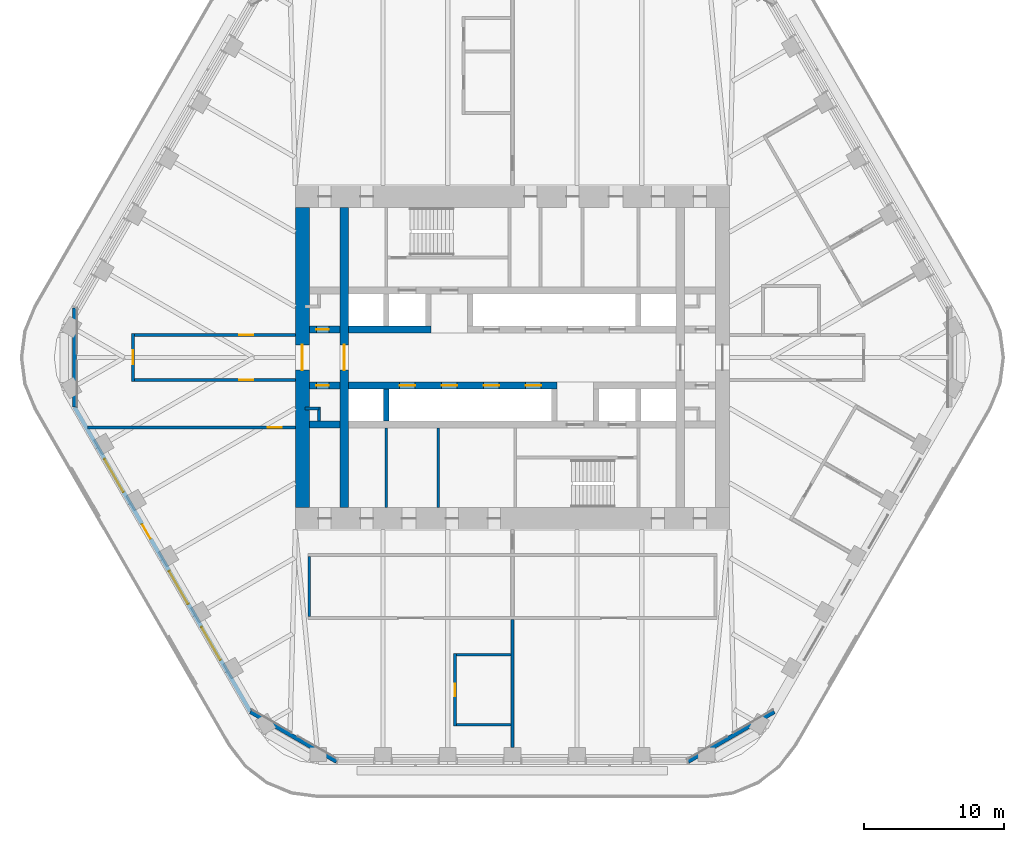
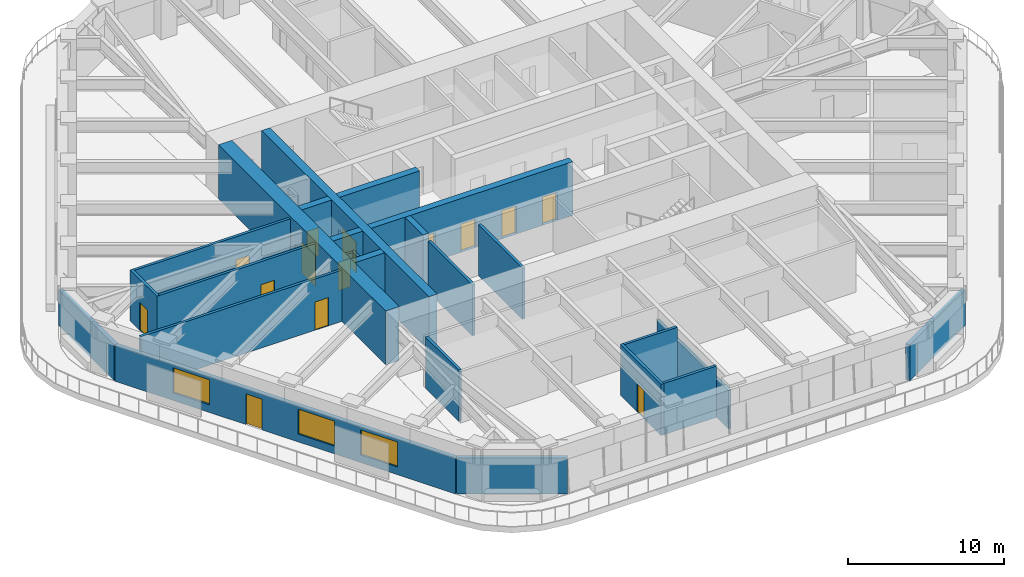
# One storey, part 14 of 20: 25 walls, 14 doors, 3 windows, 17 openings.
"""IFC4 building model written with IfcOpenShell, lengths in metres."""

import ifcopenshell
import ifcopenshell.guid

model = None  # the IFC model being written
_history = None  # IfcOwnerHistory: only IFC2X3 demands one
_inside = {}  # id of a spatial element -> (the spatial element, [elements in it])
_under = {}  # id of a project, library or spatial element -> (it, [spatial elements below it])
_declared = {}  # id of a project -> (the project, [libraries it declares])
_typed = {}  # id of a type object -> (the type object, [elements of that type])
_made_of = {}  # id of a material, layer set ... -> (it, [elements and type objects made of it])


def new_model(schema):
    """Start an empty IFC model of exactly this schema.

    Asked for "IFC4X3", IfcOpenShell would pick the latest addendum, in which some entities
    have other attributes; the version numbers below select the first issue.
    IFC2X3 requires an IfcOwnerHistory on every rooted entity: one is made here for all.
    """
    global model, _history
    if schema == "IFC4X3":
        model = ifcopenshell.file(schema_version=(4, 3, 0, 0))
    else:
        model = ifcopenshell.file(schema=schema)
    _inside.clear()
    _under.clear()
    _declared.clear()
    _typed.clear()
    _made_of.clear()
    _history = None
    if model.schema == "IFC2X3":
        org = make("IfcOrganization", Name="unknown")
        user = make(
            "IfcPersonAndOrganization",
            ThePerson=make("IfcPerson", FamilyName="unknown"),
            TheOrganization=org,
        )
        app = make(
            "IfcApplication",
            ApplicationDeveloper=org,
            Version="unknown",
            ApplicationFullName="unknown",
            ApplicationIdentifier="unknown",
        )
        _history = make(
            "IfcOwnerHistory",
            OwningUser=user,
            OwningApplication=app,
            ChangeAction="ADDED",
            CreationDate=0,
        )
    return model


def make(cls, **values):
    """One entity of the class cls with the attributes given. An attribute that is None is left unset."""
    return model.create_entity(
        cls, **{name: value for name, value in values.items() if value is not None}
    )


def rooted(cls, **values):
    """An entity with a GlobalId (a new one), such as an element, a storey or a relation."""
    return make(cls, GlobalId=ifcopenshell.guid.new(), OwnerHistory=_history, **values)


def si_unit(unit_type, name, prefix=None):
    """IfcSIUnit, for example si_unit("LENGTHUNIT", "METRE", prefix="MILLI")."""
    return make("IfcSIUnit", UnitType=unit_type, Prefix=prefix, Name=name)


def assignment(units):
    """IfcUnitAssignment: the units of a project."""
    return None if units is None else make("IfcUnitAssignment", Units=units)


def point(xyz):
    """IfcCartesianPoint."""
    return None if xyz is None else make("IfcCartesianPoint", Coordinates=xyz)


def direction(xyz):
    """IfcDirection."""
    return None if xyz is None else make("IfcDirection", DirectionRatios=xyz)


def frame(location, z_axis=None, x_axis=None):
    """IfcAxis2Placement3D, a coordinate frame: its origin and axes. An axis left out is left unset."""
    return make(
        "IfcAxis2Placement3D",
        Location=point(location),
        Axis=direction(z_axis),
        RefDirection=direction(x_axis),
    )


def frame_2d(location, x_axis=None):
    """IfcAxis2Placement2D, a coordinate frame in the plane: its origin and x axis."""
    return make(
        "IfcAxis2Placement2D", Location=point(location), RefDirection=direction(x_axis)
    )


def origin():
    """The frame at (0, 0, 0) with its axes left unset."""
    return frame((0.0, 0.0, 0.0))


def place(relative_to, where):
    """IfcLocalPlacement: puts the frame where relative to a parent placement (None: the world)."""
    return make(
        "IfcLocalPlacement", PlacementRelTo=relative_to, RelativePlacement=where
    )


def context(
    kind, dimensions, precision=None, world=None, true_north=None, identifier=None
):
    """IfcGeometricRepresentationContext, for example the 3D "Model" context."""
    return make(
        "IfcGeometricRepresentationContext",
        ContextIdentifier=identifier,
        ContextType=kind,
        CoordinateSpaceDimension=dimensions,
        Precision=precision,
        WorldCoordinateSystem=world,
        TrueNorth=true_north,
    )


def subcontext(parent, identifier, kind, view, scale=None):
    """IfcGeometricRepresentationSubContext, for example "Body" below "Model"."""
    return make(
        "IfcGeometricRepresentationSubContext",
        ContextIdentifier=identifier,
        ContextType=kind,
        ParentContext=parent,
        TargetScale=scale,
        TargetView=view,
    )


def project(units=None, contexts=None):
    """IfcProject with its units and contexts."""
    return rooted(
        "IfcProject",
        Name="project",
        RepresentationContexts=contexts,
        UnitsInContext=assignment(units),
    )


def spatial(cls, under=None, at=None, **own):
    """A site, building, storey or space (cls), placed at a placement, below another one or the project."""
    s = rooted(cls, ObjectPlacement=at, **own)
    if under is not None:
        _under.setdefault(under.id(), (under, []))[1].append(s)
    return s


def profile(cls, at=None, kind="AREA", **sizes):
    """A parametric profile (cls). Its sizes go by their IFC names, for example OverallWidth=200.0."""
    return make(cls, ProfileType=kind, Position=at, **sizes)


def rectangle(**sizes):
    """IfcRectangleProfileDef."""
    return profile("IfcRectangleProfileDef", **sizes)


def extrude(swept, where, along, depth):
    """IfcExtrudedAreaSolid: the profile swept, set in the frame where, extruded along a direction by depth."""
    return make(
        "IfcExtrudedAreaSolid",
        SweptArea=swept,
        Position=where,
        ExtrudedDirection=direction(along),
        Depth=depth,
    )


def shape(context_of_items, identifier, shape_type, items):
    """IfcShapeRepresentation: the items that make up one representation, for example the "Body"."""
    return make(
        "IfcShapeRepresentation",
        ContextOfItems=context_of_items,
        RepresentationIdentifier=identifier,
        RepresentationType=shape_type,
        Items=items,
    )


def material(Name=None, Category=None):
    """IfcMaterial."""
    return make("IfcMaterial", Name=Name, Category=Category)


def layer(
    of_material, thickness, ventilated=None, Name=None, Category=None, Priority=None
):
    """IfcMaterialLayer: one layer of a wall or slab, of a material (None: an air gap)."""
    return make(
        "IfcMaterialLayer",
        Material=of_material,
        LayerThickness=thickness,
        IsVentilated=ventilated,
        Name=Name,
        Category=Category,
        Priority=Priority,
    )


def layer_set(layers, Name=None):
    """IfcMaterialLayerSet."""
    return make("IfcMaterialLayerSet", MaterialLayers=layers, LayerSetName=Name)


def made_of(thing, what):
    """Note that an element or type object is made of a material, layer set ...; save() writes the relation."""
    if what is not None:
        _made_of.setdefault(what.id(), (what, []))[1].append(thing)
    return thing


def type_object(cls, material=None, **own):
    """A type object (cls), such as IfcWallType, which elements share."""
    return made_of(rooted(cls, **own), material)


def element(
    cls,
    number,
    at=None,
    inside=None,
    cuts=None,
    type_object=None,
    material=None,
    context=None,
    identifier="Body",
    shape_type=None,
    held_by="IfcProductDefinitionShape",
    body=None,
    shapes=None,
    **own,
):
    """One element of the class cls, such as IfcWall. Its Tag is "e" and its number.

    at: its placement. inside: the storey or other place that contains it. cuts: it is an
    opening in that element (IfcRelVoidsElement). A single representation is given by context,
    identifier, shape_type and body (its items); several are given by shapes. held_by: the class
    of the entity that holds the representations. save() writes the other relations.
    """
    e = rooted(cls, Tag="e%d" % number, ObjectPlacement=at, **own)
    if body is not None:
        shapes = [shape(context, identifier, shape_type, body)]
    if shapes is not None:
        e.Representation = make(held_by, Representations=shapes)
    if inside is not None:
        _inside.setdefault(inside.id(), (inside, []))[1].append(e)
    if cuts is not None:
        rooted(
            "IfcRelVoidsElement", RelatingBuildingElement=cuts, RelatedOpeningElement=e
        )
    if type_object is not None:
        _typed.setdefault(type_object.id(), (type_object, []))[1].append(e)
    return made_of(e, material)


def fill(opening, filler):
    """IfcRelFillsElement: the door or window that sits in an opening."""
    return rooted(
        "IfcRelFillsElement",
        RelatingOpeningElement=opening,
        RelatedBuildingElement=filler,
    )


def aggregate(whole, parts):
    """IfcRelAggregates: a whole, such as a stair, and the parts it consists of."""
    return rooted("IfcRelAggregates", RelatingObject=whole, RelatedObjects=parts)


def save(model, path):
    """Write the relations noted so far, then the file.

    IfcRelAggregates (storeys below a building ...), IfcRelContainedInSpatialStructure (elements
    in a storey), IfcRelDefinesByType, IfcRelAssociatesMaterial and IfcRelDeclares: one each for
    every whole, place, type object, material and project.
    """
    for whole, parts in _under.values():
        aggregate(whole, parts)
    for where, things in _inside.values():
        rooted(
            "IfcRelContainedInSpatialStructure",
            RelatedElements=things,
            RelatingStructure=where,
        )
    for kind, things in _typed.values():
        rooted("IfcRelDefinesByType", RelatedObjects=things, RelatingType=kind)
    for what, things in _made_of.values():
        rooted("IfcRelAssociatesMaterial", RelatedObjects=things, RelatingMaterial=what)
    for by, libraries in _declared.values():
        rooted("IfcRelDeclares", RelatingContext=by, RelatedDefinitions=libraries)
    model.write(path)


model = new_model("IFC4")

# Units and contexts
model_context = context("Model", 3, precision=1e-05, world=origin(), true_north=direction((0.0, 1.0)))
body_context = subcontext(model_context, "Body", "Model", "MODEL_VIEW")
ifc_project = project(units=[si_unit("LENGTHUNIT", "METRE"), si_unit("AREAUNIT", "SQUARE_METRE"), si_unit("VOLUMEUNIT", "CUBIC_METRE"), si_unit("PLANEANGLEUNIT", "RADIAN"), si_unit("MASSUNIT", "GRAM", prefix="KILO")], contexts=[model_context])

# Site, building, storey
site_placement = place(None, origin())
site = spatial("IfcSite", under=ifc_project, at=site_placement, CompositionType="ELEMENT")
building_placement = place(site_placement, origin())
building = spatial("IfcBuilding", under=site, at=building_placement, Name="Tarfa Lantern Tower", CompositionType="ELEMENT")
storey_placement = place(building_placement, frame((0.0, 0.0, 265.89990234375)))
storey = spatial("IfcBuildingStorey", under=building, at=storey_placement, Name="L60", CompositionType="ELEMENT", Elevation=265.89990234375)

# Walls
ifc_material_1 = material(Name="Limestone cladding on blockwork", Category="masonry")
ifc_layer_1 = layer(ifc_material_1, 0.300048828125)
ifc_layer_set_1 = layer_set([ifc_layer_1], Name="EW1 STONE-CLAD WALL 300")
wall_type_1 = type_object("IfcWallType", Name="EW1 STONE-CLAD WALL 300", PredefinedType="SOLIDWALL", material=ifc_layer_set_1)
wall_1_placement = place(storey_placement, frame((-31.262939453125, 3.55078125, 0.0), z_axis=(0.0, 0.0, 1.0), x_axis=(0.0, -1.0, 0.0)))
element("IfcWall", 1, at=wall_1_placement, inside=storey, type_object=wall_type_1, Name="Garden wall NW-SW", PredefinedType="SOLIDWALL", context=body_context, shape_type="SweptSolid", body=[
    extrude(rectangle(XDim=7.1015625, YDim=0.300048828125, at=frame_2d((3.55078125, 0.0))), origin(), (0.0, 0.0, 1.0), 2.800048828125),
])
for number, where, z_axis, x_axis, name in (
    (2, (-18.70654296875, -25.299072265625, 0.0), (0.0, 0.0, 1.0), (0.866010973379, -0.500024993363, 0.0), "Garden wall SW-S"),
    (3, (12.556396484375, -28.85009765625, 0.0), (0.0, 0.0, 1.0), (0.866010973379, 0.500024993363, 0.0), "Garden wall S-SE"),
):
    element("IfcWall", number, at=place(storey_placement, frame(where, z_axis=z_axis, x_axis=x_axis)), inside=storey, type_object=wall_type_1, Name=name, PredefinedType="SOLIDWALL", context=body_context, shape_type="SweptSolid", body=[
        extrude(rectangle(XDim=7.101806640625, YDim=0.300048828125, at=frame_2d((3.55078125, 0.0))), origin(), (0.0, 0.0, 1.0), 2.800048828125),
    ])

# Wall, openings, door, windows
wall_2_placement = place(storey_placement, frame((-31.262939453125, -3.55078125, 0.0), z_axis=(0.0, 0.0, 1.0), x_axis=(0.500000442367, -0.866025148383, 0.0)))
wall_2 = element("IfcWall", 4, at=wall_2_placement, inside=storey, type_object=wall_type_1, Name="Stone wall SW", PredefinedType="SOLIDWALL", context=body_context, shape_type="SweptSolid", body=[
    extrude(rectangle(XDim=25.11279296875, YDim=0.300048828125, at=frame_2d((12.556396484375, 0.0))), origin(), (0.0, 0.0, 1.0), 2.800048828125),
])
opening_1_placement = place(wall_2_placement, frame((4.2783203125, 0.0, 0.60009765625)))
opening_1 = element("IfcOpeningElement", 5, at=opening_1_placement, cuts=wall_2, Name="Opening W14", PredefinedType="OPENING", context=body_context, shape_type="SweptSolid", body=[
    extrude(rectangle(XDim=2.699951171875, YDim=1.949951171875, at=frame_2d((1.35009765625, 0.97509765625))), frame((0.0, 0.159912109375, 0.0), z_axis=(0.0, -1.0, 0.0), x_axis=(1.0, 0.0, 0.0)), (0.0, 0.0, 1.0), 0.320068359375),
])
opening_2_placement = place(wall_2_placement, frame((9.64697265625, 0.0, 0.0)))
opening_2 = element("IfcOpeningElement", 6, at=opening_2_placement, cuts=wall_2, Name="Opening D48", PredefinedType="OPENING", context=body_context, shape_type="SweptSolid", body=[
    extrude(rectangle(XDim=1.199951171875, YDim=2.39990234375, at=frame_2d((0.60009765625, 1.199951171875))), frame((0.0, 0.159912109375, 0.0), z_axis=(0.0, -1.0, 0.0), x_axis=(1.0, 0.0, 0.0)), (0.0, 0.0, 1.0), 0.320068359375),
])
opening_3_placement = place(wall_2_placement, frame((13.515869140625, 0.0, 0.60009765625)))
opening_3 = element("IfcOpeningElement", 7, at=opening_3_placement, cuts=wall_2, Name="Opening W14", PredefinedType="OPENING", context=body_context, shape_type="SweptSolid", body=[
    extrude(rectangle(XDim=2.699951171875, YDim=1.949951171875, at=frame_2d((1.35009765625, 0.97509765625))), frame((0.0, 0.159912109375, 0.0), z_axis=(0.0, -1.0, 0.0), x_axis=(1.0, 0.0, 0.0)), (0.0, 0.0, 1.0), 0.320068359375),
])
opening_4_placement = place(wall_2_placement, frame((18.134521484375, 0.0, 0.60009765625)))
opening_4 = element("IfcOpeningElement", 8, at=opening_4_placement, cuts=wall_2, Name="Opening W14", PredefinedType="OPENING", context=body_context, shape_type="SweptSolid", body=[
    extrude(rectangle(XDim=2.699951171875, YDim=1.949951171875, at=frame_2d((1.35009765625, 0.97509765625))), frame((0.0, 0.159912109375, 0.0), z_axis=(0.0, -1.0, 0.0), x_axis=(1.0, 0.0, 0.0)), (0.0, 0.0, 1.0), 0.320068359375),
])
ifc_material_2 = material(Name="Aluminium framed glazed door", Category="aluminium")
door_type_1 = type_object("IfcDoorType", Name="BE3 BALCONY DOOR 1200x2400", OperationType="SINGLE_SWING_RIGHT", PredefinedType="DOOR", material=ifc_material_2)
door_1_placement = place(opening_2_placement, origin())
door_1 = element("IfcDoor", 9, at=door_1_placement, inside=storey, type_object=door_type_1, Name="Balcony door SW", OperationType="SINGLE_SWING_RIGHT", OverallHeight=2.39990234375, OverallWidth=1.199951171875, PredefinedType="DOOR", context=body_context, shape_type="SweptSolid", body=[
    extrude(rectangle(XDim=1.199951171875, YDim=2.39990234375, at=frame_2d((0.60009765625, 1.199951171875))), frame((0.0, 0.02490234375, 0.0), z_axis=(0.0, -1.0, 0.0), x_axis=(1.0, 0.0, 0.0)), (0.0, 0.0, 1.0), 0.050048828125),
])
fill(opening_2, door_1)
ifc_material_3 = material(Name="Aluminium frame, double glazed", Category="aluminium")
window_type = type_object("IfcWindowType", Name="W14 FULL-HEIGHT GLAZING 2700x1950", PartitioningType="SINGLE_PANEL", PredefinedType="WINDOW", material=ifc_material_3)
window_1_placement = place(opening_1_placement, origin())
window_1 = element("IfcWindow", 10, at=window_1_placement, inside=storey, type_object=window_type, Name="Window SW 2", OverallHeight=1.949951171875, OverallWidth=2.699951171875, PartitioningType="SINGLE_PANEL", PredefinedType="WINDOW", context=body_context, shape_type="SweptSolid", body=[
    extrude(rectangle(XDim=2.699951171875, YDim=1.949951171875, at=frame_2d((1.35009765625, 0.97509765625))), frame((0.0, 0.030029296875, 0.0), z_axis=(0.0, -1.0, 0.0), x_axis=(1.0, 0.0, 0.0)), (0.0, 0.0, 1.0), 0.06005859375),
])
fill(opening_1, window_1)
window_2_placement = place(opening_3_placement, origin())
window_2 = element("IfcWindow", 11, at=window_2_placement, inside=storey, type_object=window_type, Name="Window SW 4", OverallHeight=1.949951171875, OverallWidth=2.699951171875, PartitioningType="SINGLE_PANEL", PredefinedType="WINDOW", context=body_context, shape_type="SweptSolid", body=[
    extrude(rectangle(XDim=2.699951171875, YDim=1.949951171875, at=frame_2d((1.35009765625, 0.97509765625))), frame((0.0, 0.030029296875, 0.0), z_axis=(0.0, -1.0, 0.0), x_axis=(1.0, 0.0, 0.0)), (0.0, 0.0, 1.0), 0.06005859375),
])
fill(opening_3, window_2)
window_3_placement = place(opening_4_placement, origin())
window_3 = element("IfcWindow", 12, at=window_3_placement, inside=storey, type_object=window_type, Name="Window SW 5", OverallHeight=1.949951171875, OverallWidth=2.699951171875, PartitioningType="SINGLE_PANEL", PredefinedType="WINDOW", context=body_context, shape_type="SweptSolid", body=[
    extrude(rectangle(XDim=2.699951171875, YDim=1.949951171875, at=frame_2d((1.35009765625, 0.97509765625))), frame((0.0, 0.030029296875, 0.0), z_axis=(0.0, -1.0, 0.0), x_axis=(1.0, 0.0, 0.0)), (0.0, 0.0, 1.0), 0.06005859375),
])
fill(opening_4, window_3)

# Walls
ifc_material_4 = material(Name="Concrete blockwork", Category="masonry")
ifc_layer_2 = layer(ifc_material_4, 0.199951171875)
ifc_layer_set_2 = layer_set([ifc_layer_2], Name="IW1 BLOCKWORK PARTITION 200 EI 120")
wall_type_2 = type_object("IfcWallType", Name="IW1 BLOCKWORK PARTITION 200 EI 120", PredefinedType="PARTITIONING", material=ifc_layer_set_2)
for number, where, z_axis, x_axis, name in (
    (13, (-9.0, -5.050048828125, 0.0), (0.0, 0.0, 1.0), (0.0, -1.0, 0.0), "Core partition"),
    (14, (-5.300048828125, -5.050048828125, 0.0), (0.0, 0.0, 1.0), (0.0, -1.0, 0.0), "Core partition"),
):
    element("IfcWall", number, at=place(storey_placement, frame(where, z_axis=z_axis, x_axis=x_axis)), inside=storey, type_object=wall_type_2, Name=name, PredefinedType="PARTITIONING", context=body_context, shape_type="SweptSolid", body=[
        extrude(rectangle(XDim=5.64990234375, YDim=0.199951171875, at=frame_2d((2.824951171875, 0.0))), origin(), (0.0, 0.0, 1.0), 4.0),
    ])
for number, where, z_axis, x_axis, name in (
    (15, (-13.800048828125, -3.64990234375, 0.0), (0.0, 0.0, 1.0), (-1.0, 0.0, 0.0), "Core partition"),
    (16, (-13.800048828125, -3.550048828125, 0.0), (0.0, 0.0, 1.0), (0.0, -1.0, 0.0), "Core partition"),
):
    element("IfcWall", number, at=place(storey_placement, frame(where, z_axis=z_axis, x_axis=x_axis)), inside=storey, type_object=wall_type_2, Name=name, PredefinedType="PARTITIONING", context=body_context, shape_type="SweptSolid", body=[
        extrude(rectangle(XDim=1.0, YDim=0.199951171875, at=frame_2d((0.5, 0.0))), origin(), (0.0, 0.0, 1.0), 4.0),
    ])
ifc_material_5 = material(Name="Gypsum board on steel studs", Category="steel")
ifc_layer_3 = layer(ifc_material_5, 0.2099609375)
ifc_layer_set_3 = layer_set([ifc_layer_3], Name="IW2 ACOUSTIC PARTITION 200")
wall_type_3 = type_object("IfcWallType", Name="IW2 ACOUSTIC PARTITION 200", PredefinedType="PARTITIONING", material=ifc_layer_set_3)
wall_3_placement = place(storey_placement, frame((-14.5, -14.199951171875, 0.0), z_axis=(0.0, 0.0, 1.0), x_axis=(0.0, -1.0, 0.0)))
element("IfcWall", 17, at=wall_3_placement, inside=storey, type_object=wall_type_3, Name="Partition", PredefinedType="PARTITIONING", context=body_context, shape_type="SweptSolid", body=[
    extrude(rectangle(XDim=4.300048828125, YDim=0.199951171875, at=frame_2d((2.14990234375, 0.0))), origin(), (0.0, 0.0, 1.0), 4.0),
])

# Wall, opening, door
wall_4_placement = place(storey_placement, frame((-15.5, 1.60009765625, 0.0), z_axis=(0.0, 0.0, 1.0), x_axis=(-1.0, 0.0, 0.0)))
wall_4 = element("IfcWall", 18, at=wall_4_placement, inside=storey, type_object=wall_type_3, Name="Partition", PredefinedType="PARTITIONING", context=body_context, shape_type="SweptSolid", body=[
    extrude(rectangle(XDim=11.699951171875, YDim=0.199951171875, at=frame_2d((5.85009765625, 0.0))), origin(), (0.0, 0.0, 1.0), 4.0),
])
opening_5_placement = place(wall_4_placement, frame((3.010009765625, 0.0, 0.0)))
opening_5 = element("IfcOpeningElement", 19, at=opening_5_placement, cuts=wall_4, Name="Opening D41", PredefinedType="OPENING", context=body_context, shape_type="SweptSolid", body=[
    extrude(rectangle(XDim=1.0, YDim=2.199951171875, at=frame_2d((0.5, 1.10009765625))), frame((0.0, 0.10986328125, 0.0), z_axis=(0.0, -1.0, 0.0), x_axis=(1.0, 0.0, 0.0)), (0.0, 0.0, 1.0), 0.219970703125),
])
ifc_material_6 = material(Name="Timber door", Category="wood")
door_type_2 = type_object("IfcDoorType", Name="DR1 ROOM DOOR 1000x2200", OperationType="SINGLE_SWING_LEFT", PredefinedType="DOOR", material=ifc_material_6)
door_2_placement = place(opening_5_placement, frame((1.0, 0.0, 0.0), z_axis=(0.0, 0.0, 1.0), x_axis=(-1.0, 0.0, 0.0)))
door_2 = element("IfcDoor", 20, at=door_2_placement, inside=storey, type_object=door_type_2, Name="Corridor door", OperationType="SINGLE_SWING_LEFT", OverallHeight=2.199951171875, OverallWidth=1.0, PredefinedType="DOOR", context=body_context, shape_type="SweptSolid", body=[
    extrude(rectangle(XDim=1.0, YDim=2.199951171875, at=frame_2d((0.5, 1.10009765625))), frame((0.0, 0.02490234375, 0.0), z_axis=(0.0, -1.0, 0.0), x_axis=(1.0, 0.0, 0.0)), (0.0, 0.0, 1.0), 0.050048828125),
])
fill(opening_5, door_2)

wall_5_placement = place(storey_placement, frame((-15.5, -1.60009765625, 0.0), z_axis=(0.0, 0.0, 1.0), x_axis=(-1.0, 0.0, 0.0)))
wall_5 = element("IfcWall", 21, at=wall_5_placement, inside=storey, type_object=wall_type_3, Name="Partition", PredefinedType="PARTITIONING", context=body_context, shape_type="SweptSolid", body=[
    extrude(rectangle(XDim=11.699951171875, YDim=0.199951171875, at=frame_2d((5.85009765625, 0.0))), origin(), (0.0, 0.0, 1.0), 4.0),
])
opening_6_placement = place(wall_5_placement, frame((3.010009765625, 0.0, 0.0)))
opening_6 = element("IfcOpeningElement", 22, at=opening_6_placement, cuts=wall_5, Name="Opening D42", PredefinedType="OPENING", context=body_context, shape_type="SweptSolid", body=[
    extrude(rectangle(XDim=1.0, YDim=2.199951171875, at=frame_2d((0.5, 1.10009765625))), frame((0.0, 0.10986328125, 0.0), z_axis=(0.0, -1.0, 0.0), x_axis=(1.0, 0.0, 0.0)), (0.0, 0.0, 1.0), 0.219970703125),
])
door_3_placement = place(opening_6_placement, origin())
door_3 = element("IfcDoor", 23, at=door_3_placement, inside=storey, type_object=door_type_2, Name="Corridor door", OperationType="SINGLE_SWING_RIGHT", OverallHeight=2.199951171875, OverallWidth=1.0, PredefinedType="DOOR", context=body_context, shape_type="SweptSolid", body=[
    extrude(rectangle(XDim=1.0, YDim=2.199951171875, at=frame_2d((0.5, 1.10009765625))), frame((0.0, 0.02490234375, 0.0), z_axis=(0.0, -1.0, 0.0), x_axis=(1.0, 0.0, 0.0)), (0.0, 0.0, 1.0), 0.050048828125),
])
fill(opening_6, door_3)

wall_6_placement = place(storey_placement, frame((-27.10009765625, -1.699951171875, 0.0), z_axis=(0.0, 0.0, 1.0), x_axis=(0.0, 1.0, 0.0)))
wall_6 = element("IfcWall", 24, at=wall_6_placement, inside=storey, type_object=wall_type_3, Name="Partition", PredefinedType="PARTITIONING", context=body_context, shape_type="SweptSolid", body=[
    extrude(rectangle(XDim=3.39990234375, YDim=0.199951171875, at=frame_2d((1.699951171875, 0.0))), origin(), (0.0, 0.0, 1.0), 4.0),
])
opening_7_placement = place(wall_6_placement, frame((1.199951171875, 0.0, 0.0)))
opening_7 = element("IfcOpeningElement", 25, at=opening_7_placement, cuts=wall_6, Name="Opening D40", PredefinedType="OPENING", context=body_context, shape_type="SweptSolid", body=[
    extrude(rectangle(XDim=1.0, YDim=2.199951171875, at=frame_2d((0.5, 1.10009765625))), frame((0.0, 0.10986328125, 0.0), z_axis=(0.0, -1.0, 0.0), x_axis=(1.0, 0.0, 0.0)), (0.0, 0.0, 1.0), 0.219970703125),
])
door_4_placement = place(opening_7_placement, origin())
door_4 = element("IfcDoor", 26, at=door_4_placement, inside=storey, type_object=door_type_2, Name="Corridor door", OperationType="SINGLE_SWING_RIGHT", OverallHeight=2.199951171875, OverallWidth=1.0, PredefinedType="DOOR", context=body_context, shape_type="SweptSolid", body=[
    extrude(rectangle(XDim=1.0, YDim=2.199951171875, at=frame_2d((0.5, 1.10009765625))), frame((0.0, 0.02490234375, 0.0), z_axis=(0.0, -1.0, 0.0), x_axis=(1.0, 0.0, 0.0)), (0.0, 0.0, 1.0), 0.050048828125),
])
fill(opening_7, door_4)

# Wall
wall_7_placement = place(storey_placement, frame((0.0, -18.699951171875, 0.0), z_axis=(0.0, 0.0, 1.0), x_axis=(0.0, -1.0, 0.0)))
element("IfcWall", 27, at=wall_7_placement, inside=storey, type_object=wall_type_3, Name="Partition", PredefinedType="PARTITIONING", context=body_context, shape_type="SweptSolid", body=[
    extrude(rectangle(XDim=9.150146484375, YDim=0.199951171875, at=frame_2d((4.5751953125, 0.0))), origin(), (0.0, 0.0, 1.0), 2.991943359375),
])

# Wall, opening, door
wall_8_placement = place(storey_placement, frame((-15.5, -5.0, 0.0), z_axis=(0.0, 0.0, 1.0), x_axis=(-1.0, 0.0, 0.0)))
wall_8 = element("IfcWall", 28, at=wall_8_placement, inside=storey, type_object=wall_type_3, Name="Partition", PredefinedType="PARTITIONING", context=body_context, shape_type="SweptSolid", body=[
    extrude(rectangle(XDim=14.845458984375, YDim=0.199951171875, at=frame_2d((7.4228515625, 0.0))), origin(), (0.0, 0.0, 1.0), 4.0),
])
opening_8_placement = place(wall_8_placement, frame((0.984619140625, 0.0, 0.0)))
opening_8 = element("IfcOpeningElement", 29, at=opening_8_placement, cuts=wall_8, Name="Opening D45", PredefinedType="OPENING", context=body_context, shape_type="SweptSolid", body=[
    extrude(rectangle(XDim=1.0, YDim=2.199951171875, at=frame_2d((0.5, 1.10009765625))), frame((0.0, 0.10986328125, 0.0), z_axis=(0.0, -1.0, 0.0), x_axis=(1.0, 0.0, 0.0)), (0.0, 0.0, 1.0), 0.219970703125),
])
door_5_placement = place(opening_8_placement, origin())
door_5 = element("IfcDoor", 30, at=door_5_placement, inside=storey, type_object=door_type_2, Name="Zone door", OperationType="SINGLE_SWING_RIGHT", OverallHeight=2.199951171875, OverallWidth=1.0, PredefinedType="DOOR", context=body_context, shape_type="SweptSolid", body=[
    extrude(rectangle(XDim=1.0, YDim=2.199951171875, at=frame_2d((0.5, 1.10009765625))), frame((0.0, 0.02490234375, 0.0), z_axis=(0.0, -1.0, 0.0), x_axis=(1.0, 0.0, 0.0)), (0.0, 0.0, 1.0), 0.050048828125),
])
fill(opening_8, door_5)

wall_9_placement = place(storey_placement, frame((-4.10009765625, -21.132568359375, 0.0), z_axis=(0.0, 0.0, 1.0), x_axis=(0.0, -1.0, 0.0)))
wall_9 = element("IfcWall", 31, at=wall_9_placement, inside=storey, type_object=wall_type_3, Name="Partition", PredefinedType="PARTITIONING", context=body_context, shape_type="SweptSolid", body=[
    extrude(rectangle(XDim=5.199951171875, YDim=0.199951171875, at=frame_2d((2.60009765625, 0.0))), origin(), (0.0, 0.0, 1.0), 4.0),
])
opening_9_placement = place(wall_9_placement, frame((2.14990234375, 0.0, 0.0)))
opening_9 = element("IfcOpeningElement", 32, at=opening_9_placement, cuts=wall_9, Name="Opening D36", PredefinedType="OPENING", context=body_context, shape_type="SweptSolid", body=[
    extrude(rectangle(XDim=0.89990234375, YDim=2.199951171875, at=frame_2d((0.449951171875, 1.10009765625))), frame((0.0, 0.10986328125, 0.0), z_axis=(0.0, -1.0, 0.0), x_axis=(1.0, 0.0, 0.0)), (0.0, 0.0, 1.0), 0.219970703125),
])
door_type_3 = type_object("IfcDoorType", Name="DR3 ROOM DOOR 900x2200", OperationType="SINGLE_SWING_LEFT", PredefinedType="DOOR", material=ifc_material_6)
door_6_placement = place(opening_9_placement, origin())
door_6 = element("IfcDoor", 33, at=door_6_placement, inside=storey, type_object=door_type_3, Name="Team room door", OperationType="SINGLE_SWING_LEFT", OverallHeight=2.199951171875, OverallWidth=0.89990234375, PredefinedType="DOOR", context=body_context, shape_type="SweptSolid", body=[
    extrude(rectangle(XDim=0.89990234375, YDim=2.199951171875, at=frame_2d((0.449951171875, 1.10009765625))), frame((0.0, 0.02490234375, 0.0), z_axis=(0.0, -1.0, 0.0), x_axis=(1.0, 0.0, 0.0)), (0.0, 0.0, 1.0), 0.050048828125),
])
fill(opening_9, door_6)

# Walls
for number, where, z_axis, x_axis, name in (
    (34, (-0.10009765625, -21.232421875, 0.0), (0.0, 0.0, 1.0), (-1.0, 0.0, 0.0), "Partition"),
    (35, (-0.10009765625, -26.232421875, 0.0), (0.0, 0.0, 1.0), (-1.0, 0.0, 0.0), "Partition"),
):
    element("IfcWall", number, at=place(storey_placement, frame(where, z_axis=z_axis, x_axis=x_axis)), inside=storey, type_object=wall_type_3, Name=name, PredefinedType="PARTITIONING", context=body_context, shape_type="SweptSolid", body=[
        extrude(rectangle(XDim=3.89990234375, YDim=0.199951171875, at=frame_2d((1.949951171875, 0.0))), origin(), (0.0, 0.0, 1.0), 4.0),
    ])

# Wall, opening, door
ifc_material_7 = material(Name="Concrete C80/95", Category="concrete")
ifc_layer_4 = layer(ifc_material_7, 1.0)
ifc_layer_set_4 = layer_set([ifc_layer_4], Name="SW2 CORE WALL 1000")
wall_type_4 = type_object("IfcWallType", Name="SW2 CORE WALL 1000", PredefinedType="SHEAR", material=ifc_layer_set_4)
wall_10_placement = place(storey_placement, frame((-15.0, 10.699951171875, 0.0), z_axis=(0.0, 0.0, 1.0), x_axis=(0.0, -1.0, 0.0)))
wall_10 = element("IfcWall", 36, at=wall_10_placement, inside=storey, type_object=wall_type_4, Name="Core wall W", PredefinedType="SHEAR", context=body_context, shape_type="SweptSolid", body=[
    extrude(rectangle(XDim=21.39990234375, YDim=1.0, at=frame_2d((10.699951171875, 0.0))), origin(), (0.0, 0.0, 1.0), 4.2001953125),
])
opening_10_placement = place(wall_10_placement, frame((9.800048828125, 0.0, 0.0)))
opening_10 = element("IfcOpeningElement", 37, at=opening_10_placement, cuts=wall_10, Name="Opening D12", PredefinedType="OPENING", context=body_context, shape_type="SweptSolid", body=[
    extrude(rectangle(XDim=1.800048828125, YDim=2.39990234375, at=frame_2d((0.89990234375, 1.199951171875))), frame((0.0, 0.510009765625, 0.0), z_axis=(0.0, -1.0, 0.0), x_axis=(1.0, 0.0, 0.0)), (0.0, 0.0, 1.0), 1.02001953125),
])
ifc_material_8 = material(Name="Steel fire door", Category="steel")
door_type_4 = type_object("IfcDoorType", Name="DL1 LOBBY DOOR 1800x2400", OperationType="DOUBLE_DOOR_SINGLE_SWING", PredefinedType="DOOR", material=ifc_material_8)
door_7_placement = place(opening_10_placement, frame((1.800048828125, 0.0, 0.0), z_axis=(0.0, 0.0, 1.0), x_axis=(-1.0, 0.0, 0.0)))
door_7 = element("IfcDoor", 38, at=door_7_placement, inside=storey, type_object=door_type_4, Name="Lift lobby door", OperationType="DOUBLE_DOOR_SINGLE_SWING", OverallHeight=2.39990234375, OverallWidth=1.800048828125, PredefinedType="DOOR", context=body_context, shape_type="SweptSolid", body=[
    extrude(rectangle(XDim=1.800048828125, YDim=2.39990234375, at=frame_2d((0.89990234375, 1.199951171875))), frame((0.0, 0.02490234375, 0.0), z_axis=(0.0, -1.0, 0.0), x_axis=(1.0, 0.0, 0.0)), (0.0, 0.0, 1.0), 0.050048828125),
])
fill(opening_10, door_7)

ifc_layer_5 = layer(ifc_material_7, 0.5)
ifc_layer_set_5 = layer_set([ifc_layer_5], Name="SW5 CORE WALL 500")
wall_type_5 = type_object("IfcWallType", Name="SW5 CORE WALL 500", PredefinedType="SHEAR", material=ifc_layer_set_5)
wall_11_placement = place(storey_placement, frame((-14.5, 2.0, 0.0), z_axis=(0.0, 0.0, 1.0), x_axis=(1.0, 0.0, 0.0)))
wall_11 = element("IfcWall", 39, at=wall_11_placement, inside=storey, type_object=wall_type_5, Name="Core wall lobby west N", PredefinedType="SHEAR", context=body_context, shape_type="SweptSolid", body=[
    extrude(rectangle(XDim=2.199951171875, YDim=0.5, at=frame_2d((1.10009765625, 0.0))), origin(), (0.0, 0.0, 1.0), 4.2001953125),
])
opening_11_placement = place(wall_11_placement, frame((0.5, 0.0, 0.0)))
opening_11 = element("IfcOpeningElement", 40, at=opening_11_placement, cuts=wall_11, Name="Opening D15", PredefinedType="OPENING", context=body_context, shape_type="SweptSolid", body=[
    extrude(rectangle(XDim=0.89990234375, YDim=2.199951171875, at=frame_2d((0.449951171875, 1.10009765625))), frame((0.0, 0.260009765625, 0.0), z_axis=(0.0, -1.0, 0.0), x_axis=(1.0, 0.0, 0.0)), (0.0, 0.0, 1.0), 0.52001953125),
])
door_type_5 = type_object("IfcDoorType", Name="DF6 SERVICE ROOM DOOR 900x2200", OperationType="SINGLE_SWING_LEFT", PredefinedType="DOOR", material=ifc_material_8)
door_8_placement = place(opening_11_placement, origin())
door_8 = element("IfcDoor", 41, at=door_8_placement, inside=storey, type_object=door_type_5, Name="Service room door", OperationType="SINGLE_SWING_RIGHT", OverallHeight=2.199951171875, OverallWidth=0.89990234375, PredefinedType="DOOR", context=body_context, shape_type="SweptSolid", body=[
    extrude(rectangle(XDim=0.89990234375, YDim=2.199951171875, at=frame_2d((0.449951171875, 1.10009765625))), frame((0.0, 0.02490234375, 0.0), z_axis=(0.0, -1.0, 0.0), x_axis=(1.0, 0.0, 0.0)), (0.0, 0.0, 1.0), 0.050048828125),
])
fill(opening_11, door_8)

# Wall
wall_12_placement = place(storey_placement, frame((-11.699951171875, 2.0, 0.0), z_axis=(0.0, 0.0, 1.0), x_axis=(1.0, 0.0, 0.0)))
element("IfcWall", 42, at=wall_12_placement, inside=storey, type_object=wall_type_5, Name="Core wall lobby west N", PredefinedType="SHEAR", context=body_context, shape_type="SweptSolid", body=[
    extrude(rectangle(XDim=5.89990234375, YDim=0.5, at=frame_2d((2.949951171875, 0.0))), origin(), (0.0, 0.0, 1.0), 4.2001953125),
])

# Wall, openings, doors
wall_13_placement = place(storey_placement, frame((3.199951171875, -2.0, 0.0), z_axis=(0.0, 0.0, 1.0), x_axis=(-1.0, 0.0, 0.0)))
wall_13 = element("IfcWall", 43, at=wall_13_placement, inside=storey, type_object=wall_type_5, Name="Core wall lobby east S", PredefinedType="SHEAR", context=body_context, shape_type="SweptSolid", body=[
    extrude(rectangle(XDim=14.89990234375, YDim=0.5, at=frame_2d((7.449951171875, 0.0))), origin(), (0.0, 0.0, 1.0), 4.2001953125),
])
opening_12_placement = place(wall_13_placement, frame((1.14990234375, 0.0, 0.0)))
opening_12 = element("IfcOpeningElement", 44, at=opening_12_placement, cuts=wall_13, Name="Opening LD07", PredefinedType="OPENING", context=body_context, shape_type="SweptSolid", body=[
    extrude(rectangle(XDim=1.10009765625, YDim=2.199951171875, at=frame_2d((0.550048828125, 1.10009765625))), frame((0.0, 0.260009765625, 0.0), z_axis=(0.0, -1.0, 0.0), x_axis=(1.0, 0.0, 0.0)), (0.0, 0.0, 1.0), 0.52001953125),
])
opening_13_placement = place(wall_13_placement, frame((4.14990234375, 0.0, 0.0)))
opening_13 = element("IfcOpeningElement", 45, at=opening_13_placement, cuts=wall_13, Name="Opening LD08", PredefinedType="OPENING", context=body_context, shape_type="SweptSolid", body=[
    extrude(rectangle(XDim=1.10009765625, YDim=2.199951171875, at=frame_2d((0.550048828125, 1.10009765625))), frame((0.0, 0.260009765625, 0.0), z_axis=(0.0, -1.0, 0.0), x_axis=(1.0, 0.0, 0.0)), (0.0, 0.0, 1.0), 0.52001953125),
])
opening_14_placement = place(wall_13_placement, frame((7.14990234375, 0.0, 0.0)))
opening_14 = element("IfcOpeningElement", 46, at=opening_14_placement, cuts=wall_13, Name="Opening LD09", PredefinedType="OPENING", context=body_context, shape_type="SweptSolid", body=[
    extrude(rectangle(XDim=1.10009765625, YDim=2.199951171875, at=frame_2d((0.550048828125, 1.10009765625))), frame((0.0, 0.260009765625, 0.0), z_axis=(0.0, -1.0, 0.0), x_axis=(1.0, 0.0, 0.0)), (0.0, 0.0, 1.0), 0.52001953125),
])
opening_15_placement = place(wall_13_placement, frame((10.14990234375, 0.0, 0.0)))
opening_15 = element("IfcOpeningElement", 47, at=opening_15_placement, cuts=wall_13, Name="Opening LD10", PredefinedType="OPENING", context=body_context, shape_type="SweptSolid", body=[
    extrude(rectangle(XDim=1.10009765625, YDim=2.199951171875, at=frame_2d((0.550048828125, 1.10009765625))), frame((0.0, 0.260009765625, 0.0), z_axis=(0.0, -1.0, 0.0), x_axis=(1.0, 0.0, 0.0)), (0.0, 0.0, 1.0), 0.52001953125),
])
ifc_material_9 = material(Name="Stainless steel lift door", Category="steel")
door_type_6 = type_object("IfcDoorType", Name="LD2 LIFT LANDING DOOR 1100x2200", OperationType="SLIDING_TO_LEFT", PredefinedType="DOOR", material=ifc_material_9)
door_9_placement = place(opening_12_placement, frame((1.10009765625, 0.0, 0.0), z_axis=(0.0, 0.0, 1.0), x_axis=(-1.0, 0.0, 0.0)))
door_9 = element("IfcDoor", 48, at=door_9_placement, inside=storey, type_object=door_type_6, Name="Landing door PC5", OperationType="SLIDING_TO_LEFT", OverallHeight=2.199951171875, OverallWidth=1.10009765625, PredefinedType="DOOR", context=body_context, shape_type="SweptSolid", body=[
    extrude(rectangle(XDim=1.10009765625, YDim=2.199951171875, at=frame_2d((0.550048828125, 1.10009765625))), frame((0.0, 0.02490234375, 0.0), z_axis=(0.0, -1.0, 0.0), x_axis=(1.0, 0.0, 0.0)), (0.0, 0.0, 1.0), 0.050048828125),
])
fill(opening_12, door_9)
door_10_placement = place(opening_13_placement, frame((1.10009765625, 0.0, 0.0), z_axis=(0.0, 0.0, 1.0), x_axis=(-1.0, 0.0, 0.0)))
door_10 = element("IfcDoor", 49, at=door_10_placement, inside=storey, type_object=door_type_6, Name="Landing door PC6", OperationType="SLIDING_TO_LEFT", OverallHeight=2.199951171875, OverallWidth=1.10009765625, PredefinedType="DOOR", context=body_context, shape_type="SweptSolid", body=[
    extrude(rectangle(XDim=1.10009765625, YDim=2.199951171875, at=frame_2d((0.550048828125, 1.10009765625))), frame((0.0, 0.02490234375, 0.0), z_axis=(0.0, -1.0, 0.0), x_axis=(1.0, 0.0, 0.0)), (0.0, 0.0, 1.0), 0.050048828125),
])
fill(opening_13, door_10)
door_11_placement = place(opening_14_placement, frame((1.10009765625, 0.0, 0.0), z_axis=(0.0, 0.0, 1.0), x_axis=(-1.0, 0.0, 0.0)))
door_11 = element("IfcDoor", 50, at=door_11_placement, inside=storey, type_object=door_type_6, Name="Landing door PC7", OperationType="SLIDING_TO_LEFT", OverallHeight=2.199951171875, OverallWidth=1.10009765625, PredefinedType="DOOR", context=body_context, shape_type="SweptSolid", body=[
    extrude(rectangle(XDim=1.10009765625, YDim=2.199951171875, at=frame_2d((0.550048828125, 1.10009765625))), frame((0.0, 0.02490234375, 0.0), z_axis=(0.0, -1.0, 0.0), x_axis=(1.0, 0.0, 0.0)), (0.0, 0.0, 1.0), 0.050048828125),
])
fill(opening_14, door_11)
door_12_placement = place(opening_15_placement, frame((1.10009765625, 0.0, 0.0), z_axis=(0.0, 0.0, 1.0), x_axis=(-1.0, 0.0, 0.0)))
door_12 = element("IfcDoor", 51, at=door_12_placement, inside=storey, type_object=door_type_6, Name="Landing door PC8", OperationType="SLIDING_TO_LEFT", OverallHeight=2.199951171875, OverallWidth=1.10009765625, PredefinedType="DOOR", context=body_context, shape_type="SweptSolid", body=[
    extrude(rectangle(XDim=1.10009765625, YDim=2.199951171875, at=frame_2d((0.550048828125, 1.10009765625))), frame((0.0, 0.02490234375, 0.0), z_axis=(0.0, -1.0, 0.0), x_axis=(1.0, 0.0, 0.0)), (0.0, 0.0, 1.0), 0.050048828125),
])
fill(opening_15, door_12)

# Wall, opening, door
wall_14_placement = place(storey_placement, frame((-12.300048828125, -2.0, 0.0), z_axis=(0.0, 0.0, 1.0), x_axis=(-1.0, 0.0, 0.0)))
wall_14 = element("IfcWall", 52, at=wall_14_placement, inside=storey, type_object=wall_type_5, Name="Core wall lobby east S", PredefinedType="SHEAR", context=body_context, shape_type="SweptSolid", body=[
    extrude(rectangle(XDim=2.199951171875, YDim=0.5, at=frame_2d((1.10009765625, 0.0))), origin(), (0.0, 0.0, 1.0), 4.2001953125),
])
opening_16_placement = place(wall_14_placement, frame((0.800048828125, 0.0, 0.0)))
opening_16 = element("IfcOpeningElement", 53, at=opening_16_placement, cuts=wall_14, Name="Opening D14", PredefinedType="OPENING", context=body_context, shape_type="SweptSolid", body=[
    extrude(rectangle(XDim=0.89990234375, YDim=2.199951171875, at=frame_2d((0.449951171875, 1.10009765625))), frame((0.0, 0.260009765625, 0.0), z_axis=(0.0, -1.0, 0.0), x_axis=(1.0, 0.0, 0.0)), (0.0, 0.0, 1.0), 0.52001953125),
])
door_13_placement = place(opening_16_placement, origin())
door_13 = element("IfcDoor", 54, at=door_13_placement, inside=storey, type_object=door_type_5, Name="Service room door", OperationType="SINGLE_SWING_LEFT", OverallHeight=2.199951171875, OverallWidth=0.89990234375, PredefinedType="DOOR", context=body_context, shape_type="SweptSolid", body=[
    extrude(rectangle(XDim=0.89990234375, YDim=2.199951171875, at=frame_2d((0.449951171875, 1.10009765625))), frame((0.0, 0.02490234375, 0.0), z_axis=(0.0, -1.0, 0.0), x_axis=(1.0, 0.0, 0.0)), (0.0, 0.0, 1.0), 0.050048828125),
])
fill(opening_16, door_13)

# Walls
wall_15_placement = place(storey_placement, frame((-12.300048828125, -4.800048828125, 0.0), z_axis=(0.0, 0.0, 1.0), x_axis=(-1.0, 0.0, 0.0)))
element("IfcWall", 55, at=wall_15_placement, inside=storey, type_object=wall_type_5, Name="Core wall rear S", PredefinedType="SHEAR", context=body_context, shape_type="SweptSolid", body=[
    extrude(rectangle(XDim=2.199951171875, YDim=0.5, at=frame_2d((1.10009765625, 0.0))), origin(), (0.0, 0.0, 1.0), 4.2001953125),
])
ifc_layer_6 = layer(ifc_material_7, 0.39990234375)
ifc_layer_set_6 = layer_set([ifc_layer_6], Name="SW6 CORE WALL 400")
wall_type_6 = type_object("IfcWallType", Name="SW6 CORE WALL 400", PredefinedType="SHEAR", material=ifc_layer_set_6)
wall_16_placement = place(storey_placement, frame((-9.0, -2.25, 0.0), z_axis=(0.0, 0.0, 1.0), x_axis=(0.0, -1.0, 0.0)))
element("IfcWall", 56, at=wall_16_placement, inside=storey, type_object=wall_type_6, Name="Core wall divider S", PredefinedType="SHEAR", context=body_context, shape_type="SweptSolid", body=[
    extrude(rectangle(XDim=2.300048828125, YDim=0.39990234375, at=frame_2d((1.14990234375, 0.0))), origin(), (0.0, 0.0, 1.0), 4.2001953125),
])

# Wall, opening, door
ifc_layer_7 = layer(ifc_material_7, 0.60009765625)
ifc_layer_set_7 = layer_set([ifc_layer_7], Name="SW9 CORE WALL 600")
wall_type_7 = type_object("IfcWallType", Name="SW9 CORE WALL 600", PredefinedType="SHEAR", material=ifc_layer_set_7)
wall_17_placement = place(storey_placement, frame((-12.0, -10.699951171875, 0.0), z_axis=(0.0, 0.0, 1.0), x_axis=(0.0, 1.0, 0.0)))
wall_17 = element("IfcWall", 57, at=wall_17_placement, inside=storey, type_object=wall_type_7, Name="Core wall cross 12 m west", PredefinedType="SHEAR", context=body_context, shape_type="SweptSolid", body=[
    extrude(rectangle(XDim=21.39990234375, YDim=0.60009765625, at=frame_2d((10.699951171875, 0.0))), origin(), (0.0, 0.0, 1.0), 4.2001953125),
])
opening_17_placement = place(wall_17_placement, frame((9.800048828125, 0.0, 0.0)))
opening_17 = element("IfcOpeningElement", 58, at=opening_17_placement, cuts=wall_17, Name="Opening D26", PredefinedType="OPENING", context=body_context, shape_type="SweptSolid", body=[
    extrude(rectangle(XDim=1.800048828125, YDim=2.39990234375, at=frame_2d((0.89990234375, 1.199951171875))), frame((0.0, 0.31005859375, 0.0), z_axis=(0.0, -1.0, 0.0), x_axis=(1.0, 0.0, 0.0)), (0.0, 0.0, 1.0), 0.6201171875),
])
door_14_placement = place(opening_17_placement, origin())
door_14 = element("IfcDoor", 59, at=door_14_placement, inside=storey, type_object=door_type_4, Name="Lift lobby door", OperationType="DOUBLE_DOOR_SINGLE_SWING", OverallHeight=2.39990234375, OverallWidth=1.800048828125, PredefinedType="DOOR", context=body_context, shape_type="SweptSolid", body=[
    extrude(rectangle(XDim=1.800048828125, YDim=2.39990234375, at=frame_2d((0.89990234375, 1.199951171875))), frame((0.0, 0.02490234375, 0.0), z_axis=(0.0, -1.0, 0.0), x_axis=(1.0, 0.0, 0.0)), (0.0, 0.0, 1.0), 0.050048828125),
])
fill(opening_17, door_14)

save(model, "model.ifc")
